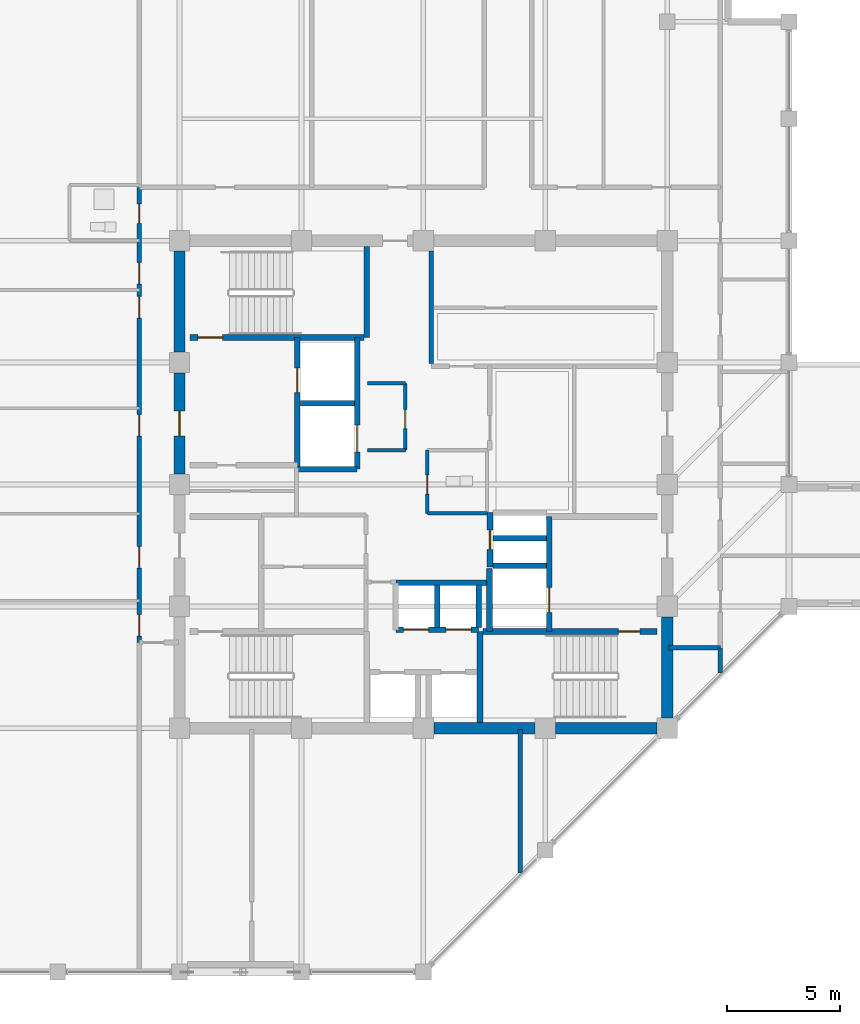
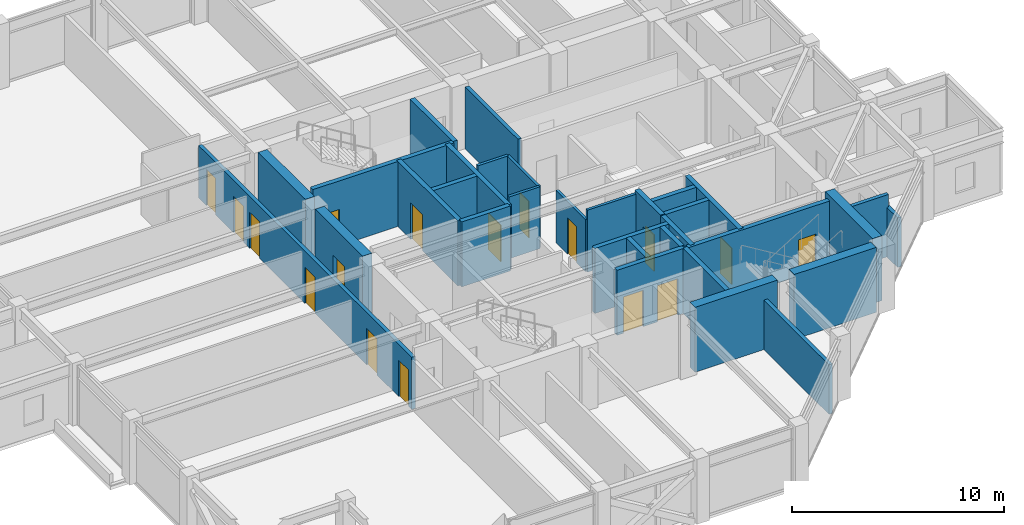
# One storey, part 26 of 31: 32 walls, 17 doors, 17 openings.
"""IFC4 building model written with IfcOpenShell, lengths in metres."""

from ifc_helpers import new_model, si_unit, direction, frame, frame_2d, origin, place, context, subcontext, project, spatial, rectangle, extrude, material, layer, layer_set, type_object, element, fill, save


model = new_model("IFC4")

# Units and contexts
model_context = context("Model", 3, precision=1e-05, world=origin(), true_north=direction((0.0, 1.0)))
body_context = subcontext(model_context, "Body", "Model", "MODEL_VIEW")
ifc_project = project(units=[si_unit("LENGTHUNIT", "METRE"), si_unit("AREAUNIT", "SQUARE_METRE"), si_unit("VOLUMEUNIT", "CUBIC_METRE"), si_unit("PLANEANGLEUNIT", "RADIAN"), si_unit("MASSUNIT", "GRAM", prefix="KILO")], contexts=[model_context])

# Site, building, storey
site_placement = place(None, origin())
site = spatial("IfcSite", under=ifc_project, at=site_placement, CompositionType="ELEMENT")
building_placement = place(site_placement, origin())
building = spatial("IfcBuilding", under=site, at=building_placement, Name="Surkhivell Harbour Commons", CompositionType="ELEMENT")
storey_placement = place(building_placement, frame((0.0, 0.0, 315.0)))
storey = spatial("IfcBuildingStorey", under=building, at=storey_placement, Name="L82", CompositionType="ELEMENT", Elevation=315.0)

# Walls
ifc_material_1 = material(Name="Concrete C50/60", Category="concrete")
ifc_layer_1 = layer(ifc_material_1, 0.5)
ifc_layer_set_1 = layer_set([ifc_layer_1], Name="Concrete C50/60")
wall_type_1 = type_object("IfcWallType", Name="WAL-CORE-500", PredefinedType="SHEAR", material=ifc_layer_set_1)
for number, where, z_axis, x_axis, name in (
    (1, (10.800048828125, -10.340087890625, 0.0), (0.0, 0.0, 1.0), (0.0, 1.0, 0.0), "L82 Core Shear Wall East 1"),
    (2, (0.4599609375, -10.800048828125, 0.0), (0.0, 0.0, 1.0), (1.0, 0.0, 0.0), "L82 Core Shear Wall South 3"),
):
    element("IfcWall", number, at=place(storey_placement, frame(where, z_axis=z_axis, x_axis=x_axis)), inside=storey, type_object=wall_type_1, Name=name, PredefinedType="SHEAR", context=body_context, shape_type="SweptSolid", body=[
        extrude(rectangle(XDim=4.47998046875, YDim=0.5, at=frame_2d((2.239990234375, 0.0))), origin(), (0.0, 0.0, 1.0), 3.75),
    ])

# Wall, opening, door
wall_1_placement = place(storey_placement, frame((-10.800048828125, 0.4599609375, 0.0), z_axis=(0.0, 0.0, 1.0), x_axis=(0.0, 1.0, 0.0)))
wall_1 = element("IfcWall", 3, at=wall_1_placement, inside=storey, type_object=wall_type_1, Name="L82 Core Shear Wall West 3", PredefinedType="SHEAR", context=body_context, shape_type="SweptSolid", body=[
    extrude(rectangle(XDim=4.47998046875, YDim=0.5, at=frame_2d((2.239990234375, 0.0))), origin(), (0.0, 0.0, 1.0), 3.75),
])
opening_1_placement = place(wall_1_placement, frame((1.68994140625, 0.0, 0.0)))
opening_1 = element("IfcOpeningElement", 4, at=opening_1_placement, cuts=wall_1, Name="Opening ID-1", PredefinedType="OPENING", context=body_context, shape_type="SweptSolid", body=[
    extrude(rectangle(XDim=1.10009765625, YDim=2.10009765625, at=frame_2d((0.550048828125, 1.050048828125))), frame((0.0, 0.260009765625, 0.0), z_axis=(0.0, -1.0, 0.0), x_axis=(1.0, 0.0, 0.0)), (0.0, 0.0, 1.0), 0.52001953125),
])
ifc_material_2 = material(Name="Hardwood-veneered fire-rated door leaf", Category="wood")
door_type_1 = type_object("IfcDoorType", Name="DOR-FD120-1100", OperationType="NOTDEFINED", PredefinedType="DOOR", material=ifc_material_2)
door_1_placement = place(opening_1_placement, origin())
door_1 = element("IfcDoor", 5, at=door_1_placement, inside=storey, type_object=door_type_1, Name="L82 Firefighting Lobby 1 Corridor Door", OperationType="SINGLE_SWING_LEFT", OverallHeight=2.10009765625, OverallWidth=1.10009765625, PredefinedType="DOOR", context=body_context, shape_type="SweptSolid", body=[
    extrude(rectangle(XDim=1.10009765625, YDim=2.10009765625, at=frame_2d((0.550048828125, 1.050048828125))), frame((0.0, 0.02490234375, 0.0), z_axis=(0.0, -1.0, 0.0), x_axis=(1.0, 0.0, 0.0)), (0.0, 0.0, 1.0), 0.050048828125),
])
fill(opening_1, door_1)

# Walls
for number, where, z_axis, x_axis, name in (
    (6, (5.860107421875, -10.800048828125, 0.0), (0.0, 0.0, 1.0), (1.0, 0.0, 0.0), "L82 Core Shear Wall South 4"),
    (7, (-10.800048828125, 5.860107421875, 0.0), (0.0, 0.0, 1.0), (0.0, 1.0, 0.0), "L82 Core Shear Wall West 4"),
):
    element("IfcWall", number, at=place(storey_placement, frame(where, z_axis=z_axis, x_axis=x_axis)), inside=storey, type_object=wall_type_1, Name=name, PredefinedType="SHEAR", context=body_context, shape_type="SweptSolid", body=[
        extrude(rectangle(XDim=4.47998046875, YDim=0.5, at=frame_2d((2.239990234375, 0.0))), origin(), (0.0, 0.0, 1.0), 3.75),
    ])
ifc_material_3 = material(Name="Twin-stud acoustic fireboard partition", Category="other")
ifc_layer_2 = layer(ifc_material_3, 0.14990234375)
ifc_layer_set_2 = layer_set([ifc_layer_2], Name="Twin-stud acoustic fireboard partition")
wall_type_2 = type_object("IfcWallType", Name="WAL-INT-150", PredefinedType="PARTITIONING", material=ifc_layer_set_2)
wall_2_placement = place(storey_placement, frame((0.179931640625, -1.280029296875, 0.0), z_axis=(0.0, 0.0, 1.0), x_axis=(1.0, 0.0, 0.0)))
element("IfcWall", 8, at=wall_2_placement, inside=storey, type_object=wall_type_2, Name="L82 Core WC South Wall", PredefinedType="PARTITIONING", context=body_context, shape_type="SweptSolid", body=[
    extrude(rectangle(XDim=2.670166015625, YDim=0.14990234375, at=frame_2d((1.3349609375, 0.0))), origin(), (0.0, 0.0, 1.0), 3.570068359375),
])

# Wall, opening, door
wall_3_placement = place(storey_placement, frame((0.179931640625, -1.280029296875, 0.0), z_axis=(0.0, 0.0, 1.0), x_axis=(0.0, 1.0, 0.0)))
wall_3 = element("IfcWall", 9, at=wall_3_placement, inside=storey, type_object=wall_type_2, Name="L82 Core Accessible WC West Wall", PredefinedType="PARTITIONING", context=body_context, shape_type="SweptSolid", body=[
    extrude(rectangle(XDim=2.800048828125, YDim=0.14990234375, at=frame_2d((1.39990234375, 0.0))), origin(), (0.0, 0.0, 1.0), 3.012939453125),
])
opening_2_placement = place(wall_3_placement, frame((0.85009765625, 0.0, 0.0)))
opening_2 = element("IfcOpeningElement", 10, at=opening_2_placement, cuts=wall_3, Name="Opening ID-6", PredefinedType="OPENING", context=body_context, shape_type="SweptSolid", body=[
    extrude(rectangle(XDim=0.85009765625, YDim=2.10009765625, at=frame_2d((0.425048828125, 1.050048828125))), frame((0.0, 0.0849609375, 0.0), z_axis=(0.0, -1.0, 0.0), x_axis=(1.0, 0.0, 0.0)), (0.0, 0.0, 1.0), 0.169921875),
])
door_type_2 = type_object("IfcDoorType", Name="DOR-FD30-850", OperationType="NOTDEFINED", PredefinedType="DOOR", material=ifc_material_2)
door_2_placement = place(opening_2_placement, origin())
door_2 = element("IfcDoor", 11, at=door_2_placement, inside=storey, type_object=door_type_2, Name="L82 Floor Accessible WC Door", OperationType="SINGLE_SWING_RIGHT", OverallHeight=2.10009765625, OverallWidth=0.85009765625, PredefinedType="DOOR", context=body_context, shape_type="SweptSolid", body=[
    extrude(rectangle(XDim=0.85009765625, YDim=2.10009765625, at=frame_2d((0.425048828125, 1.050048828125))), frame((0.0, 0.02490234375, 0.0), z_axis=(0.0, -1.0, 0.0), x_axis=(1.0, 0.0, 0.0)), (0.0, 0.0, 1.0), 0.050048828125),
])
fill(opening_2, door_2)

wall_4_placement = place(storey_placement, frame((-0.800048828125, 1.52001953125, 0.0), z_axis=(0.0, 0.0, 1.0), x_axis=(0.0, 1.0, 0.0)))
wall_4 = element("IfcWall", 12, at=wall_4_placement, inside=storey, type_object=wall_type_2, Name="L82 Core Seminar East Wall", PredefinedType="PARTITIONING", context=body_context, shape_type="SweptSolid", body=[
    extrude(rectangle(XDim=2.9599609375, YDim=0.14990234375, at=frame_2d((1.47998046875, 0.0))), origin(), (0.0, 0.0, 1.0), 3.570068359375),
])
opening_3_placement = place(wall_4_placement, frame((0.949951171875, 0.0, 0.0)))
opening_3 = element("IfcOpeningElement", 13, at=opening_3_placement, cuts=wall_4, Name="Opening ID-6", PredefinedType="OPENING", context=body_context, shape_type="SweptSolid", body=[
    extrude(rectangle(XDim=0.85009765625, YDim=2.10009765625, at=frame_2d((0.425048828125, 1.050048828125))), frame((0.0, 0.0849609375, 0.0), z_axis=(0.0, -1.0, 0.0), x_axis=(1.0, 0.0, 0.0)), (0.0, 0.0, 1.0), 0.169921875),
])
door_3_placement = place(opening_3_placement, origin())
door_3 = element("IfcDoor", 14, at=door_3_placement, inside=storey, type_object=door_type_2, Name="L82 Central Seminar Door", OperationType="SINGLE_SWING_LEFT", OverallHeight=2.10009765625, OverallWidth=0.85009765625, PredefinedType="DOOR", context=body_context, shape_type="SweptSolid", body=[
    extrude(rectangle(XDim=0.85009765625, YDim=2.10009765625, at=frame_2d((0.425048828125, 1.050048828125))), frame((0.0, 0.02490234375, 0.0), z_axis=(0.0, -1.0, 0.0), x_axis=(1.0, 0.0, 0.0)), (0.0, 0.0, 1.0), 0.050048828125),
])
fill(opening_3, door_3)

# Walls
for number, where, z_axis, x_axis, name in (
    (15, (-2.47998046875, 4.47998046875, 0.0), (0.0, 0.0, 1.0), (1.0, 0.0, 0.0), "L82 Core Seminar North Wall"),
    (16, (-2.47998046875, 1.52001953125, 0.0), (0.0, 0.0, 1.0), (1.0, 0.0, 0.0), "L82 Core Seminar South Wall"),
):
    element("IfcWall", number, at=place(storey_placement, frame(where, z_axis=z_axis, x_axis=x_axis)), inside=storey, type_object=wall_type_2, Name=name, PredefinedType="PARTITIONING", context=body_context, shape_type="SweptSolid", body=[
        extrude(rectangle(XDim=1.679931640625, YDim=0.14990234375, at=frame_2d((0.83984375, 0.0))), origin(), (0.0, 0.0, 1.0), 3.570068359375),
    ])
ifc_material_4 = material(Name="Autoclaved aerated concrete blockwork and fire plaster", Category="masonry")
ifc_layer_3 = layer(ifc_material_4, 0.199951171875)
ifc_layer_set_3 = layer_set([ifc_layer_3], Name="Autoclaved aerated concrete blockwork and fire plaster")
wall_type_3 = type_object("IfcWallType", Name="WAL-INT-200", PredefinedType="PARTITIONING", material=ifc_layer_set_3)
wall_5_placement = place(storey_placement, frame((0.35009765625, 5.360107421875, 0.0), z_axis=(0.0, 0.0, 1.0), x_axis=(0.0, 1.0, 0.0)))
element("IfcWall", 17, at=wall_5_placement, inside=storey, type_object=wall_type_3, Name="L82 Reclaimed Core North Bay West Wall", PredefinedType="PARTITIONING", context=body_context, shape_type="SweptSolid", body=[
    extrude(rectangle(XDim=4.97998046875, YDim=0.199951171875, at=frame_2d((2.489990234375, 0.0))), origin(), (0.0, 0.0, 1.0), 3.570068359375),
])
wall_6_placement = place(storey_placement, frame((13.159912109375, -8.355224609375, 0.0), z_axis=(0.0, 0.0, 1.0), x_axis=(0.0, 1.0, 0.0)))
element("IfcWall", 18, at=wall_6_placement, inside=storey, type_object=wall_type_3, Name="L82 East Wing South Closure Wall", PredefinedType="PARTITIONING", context=body_context, shape_type="SweptSolid", body=[
    extrude(rectangle(XDim=1.115234375, YDim=0.199951171875, at=frame_2d((0.5576171875, 0.0))), origin(), (0.0, 0.0, 1.0), 2.85693359375),
])
wall_7_placement = place(storey_placement, frame((10.85009765625, -7.239990234375, 0.0), z_axis=(0.0, 0.0, 1.0), x_axis=(1.0, 0.0, 0.0)))
element("IfcWall", 19, at=wall_7_placement, inside=storey, type_object=wall_type_3, Name="L82 East Corridor South Closure Wall", PredefinedType="PARTITIONING", context=body_context, shape_type="SweptSolid", body=[
    extrude(rectangle(XDim=2.309814453125, YDim=0.199951171875, at=frame_2d((1.15478515625, 0.0))), origin(), (0.0, 0.0, 1.0), 3.570068359375),
])
wall_8_placement = place(storey_placement, frame((4.300048828125, -17.215087890625, 0.0), z_axis=(0.0, 0.0, 1.0), x_axis=(0.0, 1.0, 0.0)))
element("IfcWall", 20, at=wall_8_placement, inside=storey, type_object=wall_type_3, Name="L82 South Hall East Wall", PredefinedType="PARTITIONING", context=body_context, shape_type="SweptSolid", body=[
    extrude(rectangle(XDim=6.364990234375, YDim=0.199951171875, at=frame_2d((3.1826171875, 0.0))), origin(), (0.0, 0.0, 1.0), 2.85693359375),
])

# Wall, openings, doors
wall_9_placement = place(storey_placement, frame((-12.580078125, -7.0, 0.0), z_axis=(0.0, 0.0, 1.0), x_axis=(0.0, 1.0, 0.0)))
wall_9 = element("IfcWall", 21, at=wall_9_placement, inside=storey, type_object=wall_type_3, Name="L82 West Corridor Wall", PredefinedType="PARTITIONING", context=body_context, shape_type="SweptSolid", body=[
    extrude(rectangle(XDim=20.159912109375, YDim=0.199951171875, at=frame_2d((10.080078125, 0.0))), origin(), (0.0, 0.0, 1.0), 3.012939453125),
])
opening_4_placement = place(wall_9_placement, frame((0.280029296875, 0.0, 0.0)))
opening_4 = element("IfcOpeningElement", 22, at=opening_4_placement, cuts=wall_9, Name="Opening ID-4", PredefinedType="OPENING", context=body_context, shape_type="SweptSolid", body=[
    extrude(rectangle(XDim=0.949951171875, YDim=2.10009765625, at=frame_2d((0.47509765625, 1.050048828125))), frame((0.0, 0.10986328125, 0.0), z_axis=(0.0, -1.0, 0.0), x_axis=(1.0, 0.0, 0.0)), (0.0, 0.0, 1.0), 0.219970703125),
])
opening_5_placement = place(wall_9_placement, frame((18.56494140625, 0.0, 0.0)))
opening_5 = element("IfcOpeningElement", 23, at=opening_5_placement, cuts=wall_9, Name="Opening ID-6", PredefinedType="OPENING", context=body_context, shape_type="SweptSolid", body=[
    extrude(rectangle(XDim=0.85009765625, YDim=2.10009765625, at=frame_2d((0.425048828125, 1.050048828125))), frame((0.0, 0.10986328125, 0.0), z_axis=(0.0, -1.0, 0.0), x_axis=(1.0, 0.0, 0.0)), (0.0, 0.0, 1.0), 0.219970703125),
])
opening_6_placement = place(wall_9_placement, frame((15.889892578125, 0.0, 0.0)))
opening_6 = element("IfcOpeningElement", 24, at=opening_6_placement, cuts=wall_9, Name="Opening ID-4", PredefinedType="OPENING", context=body_context, shape_type="SweptSolid", body=[
    extrude(rectangle(XDim=0.949951171875, YDim=2.10009765625, at=frame_2d((0.47509765625, 1.050048828125))), frame((0.0, 0.10986328125, 0.0), z_axis=(0.0, -1.0, 0.0), x_axis=(1.0, 0.0, 0.0)), (0.0, 0.0, 1.0), 0.219970703125),
])
opening_7_placement = place(wall_9_placement, frame((3.294921875, 0.0, 0.0)))
opening_7 = element("IfcOpeningElement", 25, at=opening_7_placement, cuts=wall_9, Name="Opening ID-4", PredefinedType="OPENING", context=body_context, shape_type="SweptSolid", body=[
    extrude(rectangle(XDim=0.949951171875, YDim=2.10009765625, at=frame_2d((0.47509765625, 1.050048828125))), frame((0.0, 0.10986328125, 0.0), z_axis=(0.0, -1.0, 0.0), x_axis=(1.0, 0.0, 0.0)), (0.0, 0.0, 1.0), 0.219970703125),
])
opening_8_placement = place(wall_9_placement, frame((9.14990234375, 0.0, 0.0)))
opening_8 = element("IfcOpeningElement", 26, at=opening_8_placement, cuts=wall_9, Name="Opening ID-4", PredefinedType="OPENING", context=body_context, shape_type="SweptSolid", body=[
    extrude(rectangle(XDim=0.949951171875, YDim=2.10009765625, at=frame_2d((0.47509765625, 1.050048828125))), frame((0.0, 0.10986328125, 0.0), z_axis=(0.0, -1.0, 0.0), x_axis=(1.0, 0.0, 0.0)), (0.0, 0.0, 1.0), 0.219970703125),
])
opening_9_placement = place(wall_9_placement, frame((14.3798828125, 0.0, 0.0)))
opening_9 = element("IfcOpeningElement", 27, at=opening_9_placement, cuts=wall_9, Name="Opening ID-4", PredefinedType="OPENING", context=body_context, shape_type="SweptSolid", body=[
    extrude(rectangle(XDim=0.949951171875, YDim=2.10009765625, at=frame_2d((0.47509765625, 1.050048828125))), frame((0.0, 0.10986328125, 0.0), z_axis=(0.0, -1.0, 0.0), x_axis=(1.0, 0.0, 0.0)), (0.0, 0.0, 1.0), 0.219970703125),
])
door_4_placement = place(opening_5_placement, origin())
door_4 = element("IfcDoor", 28, at=door_4_placement, inside=storey, type_object=door_type_2, Name="L82 Communal Shower Bathroom West Door", OperationType="SINGLE_SWING_LEFT", OverallHeight=2.10009765625, OverallWidth=0.85009765625, PredefinedType="DOOR", context=body_context, shape_type="SweptSolid", body=[
    extrude(rectangle(XDim=0.85009765625, YDim=2.10009765625, at=frame_2d((0.425048828125, 1.050048828125))), frame((0.0, 0.02490234375, 0.0), z_axis=(0.0, -1.0, 0.0), x_axis=(1.0, 0.0, 0.0)), (0.0, 0.0, 1.0), 0.050048828125),
])
fill(opening_5, door_4)
door_type_3 = type_object("IfcDoorType", Name="DOR-FD60-950", OperationType="NOTDEFINED", PredefinedType="DOOR", material=ifc_material_2)
door_5_placement = place(opening_4_placement, origin())
door_5 = element("IfcDoor", 29, at=door_5_placement, inside=storey, type_object=door_type_3, Name="L82 Shared Communal Kitchen West Door", OperationType="SINGLE_SWING_RIGHT", OverallHeight=2.10009765625, OverallWidth=0.949951171875, PredefinedType="DOOR", context=body_context, shape_type="SweptSolid", body=[
    extrude(rectangle(XDim=0.949951171875, YDim=2.10009765625, at=frame_2d((0.47509765625, 1.050048828125))), frame((0.0, 0.02490234375, 0.0), z_axis=(0.0, -1.0, 0.0), x_axis=(1.0, 0.0, 0.0)), (0.0, 0.0, 1.0), 0.050048828125),
])
fill(opening_4, door_5)
door_6_placement = place(opening_6_placement, origin())
door_6 = element("IfcDoor", 30, at=door_6_placement, inside=storey, type_object=door_type_3, Name="L82 Academic Reading Commons West Door", OperationType="SINGLE_SWING_RIGHT", OverallHeight=2.10009765625, OverallWidth=0.949951171875, PredefinedType="DOOR", context=body_context, shape_type="SweptSolid", body=[
    extrude(rectangle(XDim=0.949951171875, YDim=2.10009765625, at=frame_2d((0.47509765625, 1.050048828125))), frame((0.0, 0.02490234375, 0.0), z_axis=(0.0, -1.0, 0.0), x_axis=(1.0, 0.0, 0.0)), (0.0, 0.0, 1.0), 0.050048828125),
])
fill(opening_6, door_6)
door_7_placement = place(opening_7_placement, origin())
door_7 = element("IfcDoor", 31, at=door_7_placement, inside=storey, type_object=door_type_3, Name="L82 Hostel Cluster Bedroom 1 West Door", OperationType="SINGLE_SWING_LEFT", OverallHeight=2.10009765625, OverallWidth=0.949951171875, PredefinedType="DOOR", context=body_context, shape_type="SweptSolid", body=[
    extrude(rectangle(XDim=0.949951171875, YDim=2.10009765625, at=frame_2d((0.47509765625, 1.050048828125))), frame((0.0, 0.02490234375, 0.0), z_axis=(0.0, -1.0, 0.0), x_axis=(1.0, 0.0, 0.0)), (0.0, 0.0, 1.0), 0.050048828125),
])
fill(opening_7, door_7)
door_8_placement = place(opening_8_placement, origin())
door_8 = element("IfcDoor", 32, at=door_8_placement, inside=storey, type_object=door_type_3, Name="L82 Co-Living Dormitory Bedroom 2 West Door", OperationType="SINGLE_SWING_RIGHT", OverallHeight=2.10009765625, OverallWidth=0.949951171875, PredefinedType="DOOR", context=body_context, shape_type="SweptSolid", body=[
    extrude(rectangle(XDim=0.949951171875, YDim=2.10009765625, at=frame_2d((0.47509765625, 1.050048828125))), frame((0.0, 0.02490234375, 0.0), z_axis=(0.0, -1.0, 0.0), x_axis=(1.0, 0.0, 0.0)), (0.0, 0.0, 1.0), 0.050048828125),
])
fill(opening_8, door_8)
door_9_placement = place(opening_9_placement, origin())
door_9 = element("IfcDoor", 33, at=door_9_placement, inside=storey, type_object=door_type_3, Name="L82 Hostel Cluster Bedroom 3 West Door", OperationType="SINGLE_SWING_LEFT", OverallHeight=2.10009765625, OverallWidth=0.949951171875, PredefinedType="DOOR", context=body_context, shape_type="SweptSolid", body=[
    extrude(rectangle(XDim=0.949951171875, YDim=2.10009765625, at=frame_2d((0.47509765625, 1.050048828125))), frame((0.0, 0.02490234375, 0.0), z_axis=(0.0, -1.0, 0.0), x_axis=(1.0, 0.0, 0.0)), (0.0, 0.0, 1.0), 0.050048828125),
])
fill(opening_9, door_9)

# Wall, opening, door
ifc_layer_4 = layer(ifc_material_1, 0.25)
ifc_layer_set_4 = layer_set([ifc_layer_4], Name="Concrete C50/60")
wall_type_4 = type_object("IfcWallType", Name="WAL-SHAFT-250", PredefinedType="SHEAR", material=ifc_layer_set_4)
wall_10_placement = place(storey_placement, frame((-5.580078125, 0.719970703125, 0.0), z_axis=(0.0, 0.0, 1.0), x_axis=(0.0, 1.0, 0.0)))
wall_10 = element("IfcWall", 34, at=wall_10_placement, inside=storey, type_object=wall_type_4, Name="L82 Firefighting Lobby 1 East Shaft Wall", PredefinedType="SHEAR", context=body_context, shape_type="SweptSolid", body=[
    extrude(rectangle(XDim=5.7900390625, YDim=0.25, at=frame_2d((2.89501953125, 0.0))), origin(), (0.0, 0.0, 1.0), 3.75),
])
opening_10_placement = place(wall_10_placement, frame((3.35009765625, 0.0, 0.0)))
opening_10 = element("IfcOpeningElement", 35, at=opening_10_placement, cuts=wall_10, Name="Opening LD-1", PredefinedType="OPENING", context=body_context, shape_type="SweptSolid", body=[
    extrude(rectangle(XDim=1.10009765625, YDim=2.10009765625, at=frame_2d((0.550048828125, 1.050048828125))), frame((0.0, 0.135009765625, 0.0), z_axis=(0.0, -1.0, 0.0), x_axis=(1.0, 0.0, 0.0)), (0.0, 0.0, 1.0), 0.27001953125),
])
ifc_material_5 = material(Name="Brushed stainless steel S355", Category="steel")
door_type_4 = type_object("IfcDoorType", Name="DOR-LD-1100", OperationType="SLIDING_TO_LEFT", PredefinedType="DOOR", material=ifc_material_5)
door_10_placement = place(opening_10_placement, origin())
door_10 = element("IfcDoor", 36, at=door_10_placement, inside=storey, type_object=door_type_4, Name="L82 Lift Landing Door LD-FFL1", OperationType="SLIDING_TO_LEFT", OverallHeight=2.10009765625, OverallWidth=1.10009765625, PredefinedType="DOOR", context=body_context, shape_type="SweptSolid", body=[
    extrude(rectangle(XDim=1.10009765625, YDim=2.10009765625, at=frame_2d((0.550048828125, 1.050048828125))), frame((0.0, 0.02490234375, 0.0), z_axis=(0.0, -1.0, 0.0), x_axis=(1.0, 0.0, 0.0)), (0.0, 0.0, 1.0), 0.050048828125),
])
fill(opening_10, door_10)

# Walls
wall_11_placement = place(storey_placement, frame((2.929931640625, -6.510009765625, 0.0), z_axis=(0.0, 0.0, 1.0), x_axis=(0.0, 1.0, 0.0)))
element("IfcWall", 37, at=wall_11_placement, inside=storey, type_object=wall_type_4, Name="L82 FFL2 West Shaft Wall", PredefinedType="SHEAR", context=body_context, shape_type="SweptSolid", body=[
    extrude(rectangle(XDim=2.7900390625, YDim=0.25, at=frame_2d((1.39501953125, 0.0))), origin(), (0.0, 0.0, 1.0), 3.75),
])
wall_12_placement = place(storey_placement, frame((3.080078125, -3.60009765625, 0.0), z_axis=(0.0, 0.0, 1.0), x_axis=(1.0, 0.0, 0.0)))
element("IfcWall", 38, at=wall_12_placement, inside=storey, type_object=wall_type_4, Name="L82 FFL2 North Shaft Wall", PredefinedType="SHEAR", context=body_context, shape_type="SweptSolid", body=[
    extrude(rectangle(XDim=2.369873046875, YDim=0.25, at=frame_2d((1.18505859375, 0.0))), origin(), (0.0, 0.0, 1.0), 3.75),
])

# Wall, opening, door
wall_13_placement = place(storey_placement, frame((5.580078125, -6.510009765625, 0.0), z_axis=(0.0, 0.0, 1.0), x_axis=(0.0, 1.0, 0.0)))
wall_13 = element("IfcWall", 39, at=wall_13_placement, inside=storey, type_object=wall_type_4, Name="L82 Firefighting Lobby 2 West Shaft Wall", PredefinedType="SHEAR", context=body_context, shape_type="SweptSolid", body=[
    extrude(rectangle(XDim=5.090087890625, YDim=0.25, at=frame_2d((2.544921875, 0.0))), origin(), (0.0, 0.0, 1.0), 3.75),
])
opening_11_placement = place(wall_13_placement, frame((0.85009765625, 0.0, 0.0)))
opening_11 = element("IfcOpeningElement", 40, at=opening_11_placement, cuts=wall_13, Name="Opening LD-1", PredefinedType="OPENING", context=body_context, shape_type="SweptSolid", body=[
    extrude(rectangle(XDim=1.10009765625, YDim=2.10009765625, at=frame_2d((0.550048828125, 1.050048828125))), frame((0.0, 0.135009765625, 0.0), z_axis=(0.0, -1.0, 0.0), x_axis=(1.0, 0.0, 0.0)), (0.0, 0.0, 1.0), 0.27001953125),
])
door_11_placement = place(opening_11_placement, origin())
door_11 = element("IfcDoor", 41, at=door_11_placement, inside=storey, type_object=door_type_4, Name="L82 Lift Landing Door LD-FFL2", OperationType="SLIDING_TO_RIGHT", OverallHeight=2.10009765625, OverallWidth=1.10009765625, PredefinedType="DOOR", context=body_context, shape_type="SweptSolid", body=[
    extrude(rectangle(XDim=1.10009765625, YDim=2.10009765625, at=frame_2d((0.550048828125, 1.050048828125))), frame((0.0, 0.02490234375, 0.0), z_axis=(0.0, -1.0, 0.0), x_axis=(1.0, 0.0, 0.0)), (0.0, 0.0, 1.0), 0.050048828125),
])
fill(opening_11, door_11)

# Walls
for number, where, z_axis, x_axis, name in (
    (42, (0.6201171875, -6.340087890625, 0.0), (0.0, 0.0, 1.0), (0.0, 1.0, 0.0), "L82 High-Rise Side Wall N"),
    (43, (2.449951171875, -6.340087890625, 0.0), (0.0, 0.0, 1.0), (0.0, 1.0, 0.0), "L82 High-Rise Side Wall N"),
):
    element("IfcWall", number, at=place(storey_placement, frame(where, z_axis=z_axis, x_axis=x_axis)), inside=storey, type_object=wall_type_4, Name=name, PredefinedType="SHEAR", context=body_context, shape_type="SweptSolid", body=[
        extrude(rectangle(XDim=1.880126953125, YDim=0.25, at=frame_2d((0.93994140625, 0.0))), origin(), (0.0, 0.0, 1.0), 3.75),
    ])

# Wall, openings, doors
wall_14_placement = place(storey_placement, frame((-1.219970703125, -6.43994140625, 0.0), z_axis=(0.0, 0.0, 1.0), x_axis=(1.0, 0.0, 0.0)))
wall_14 = element("IfcWall", 44, at=wall_14_placement, inside=storey, type_object=wall_type_4, Name="L82 High-Rise North Front Shaft Wall", PredefinedType="SHEAR", context=body_context, shape_type="SweptSolid", body=[
    extrude(rectangle(XDim=3.669921875, YDim=0.25, at=frame_2d((1.8349609375, 0.0))), origin(), (0.0, 0.0, 1.0), 3.75),
])
opening_12_placement = place(wall_14_placement, frame((0.35009765625, 0.0, 0.0)))
opening_12 = element("IfcOpeningElement", 45, at=opening_12_placement, cuts=wall_14, Name="Opening LD-1", PredefinedType="OPENING", context=body_context, shape_type="SweptSolid", body=[
    extrude(rectangle(XDim=1.10009765625, YDim=2.10009765625, at=frame_2d((0.550048828125, 1.050048828125))), frame((0.0, 0.135009765625, 0.0), z_axis=(0.0, -1.0, 0.0), x_axis=(1.0, 0.0, 0.0)), (0.0, 0.0, 1.0), 0.27001953125),
])
opening_13_placement = place(wall_14_placement, frame((2.219970703125, 0.0, 0.0)))
opening_13 = element("IfcOpeningElement", 46, at=opening_13_placement, cuts=wall_14, Name="Opening LD-1", PredefinedType="OPENING", context=body_context, shape_type="SweptSolid", body=[
    extrude(rectangle(XDim=1.10009765625, YDim=2.10009765625, at=frame_2d((0.550048828125, 1.050048828125))), frame((0.0, 0.135009765625, 0.0), z_axis=(0.0, -1.0, 0.0), x_axis=(1.0, 0.0, 0.0)), (0.0, 0.0, 1.0), 0.27001953125),
])
door_12_placement = place(opening_12_placement, origin())
door_12 = element("IfcDoor", 47, at=door_12_placement, inside=storey, type_object=door_type_4, Name="L82 Lift Landing Door LD-PH1", OperationType="SLIDING_TO_LEFT", OverallHeight=2.10009765625, OverallWidth=1.10009765625, PredefinedType="DOOR", context=body_context, shape_type="SweptSolid", body=[
    extrude(rectangle(XDim=1.10009765625, YDim=2.10009765625, at=frame_2d((0.550048828125, 1.050048828125))), frame((0.0, 0.02490234375, 0.0), z_axis=(0.0, -1.0, 0.0), x_axis=(1.0, 0.0, 0.0)), (0.0, 0.0, 1.0), 0.050048828125),
])
fill(opening_12, door_12)
door_13_placement = place(opening_13_placement, origin())
door_13 = element("IfcDoor", 48, at=door_13_placement, inside=storey, type_object=door_type_4, Name="L82 Lift Landing Door LD-PH2", OperationType="SLIDING_TO_LEFT", OverallHeight=2.10009765625, OverallWidth=1.10009765625, PredefinedType="DOOR", context=body_context, shape_type="SweptSolid", body=[
    extrude(rectangle(XDim=1.10009765625, YDim=2.10009765625, at=frame_2d((0.550048828125, 1.050048828125))), frame((0.0, 0.02490234375, 0.0), z_axis=(0.0, -1.0, 0.0), x_axis=(1.0, 0.0, 0.0)), (0.0, 0.0, 1.0), 0.050048828125),
])
fill(opening_13, door_13)

# Walls
wall_15_placement = place(storey_placement, frame((-1.219970703125, -4.360107421875, 0.0), z_axis=(0.0, 0.0, 1.0), x_axis=(1.0, 0.0, 0.0)))
element("IfcWall", 49, at=wall_15_placement, inside=storey, type_object=wall_type_4, Name="L82 High-Rise North Back Shaft Wall", PredefinedType="SHEAR", context=body_context, shape_type="SweptSolid", body=[
    extrude(rectangle(XDim=4.030029296875, YDim=0.25, at=frame_2d((2.01513671875, 0.0))), origin(), (0.0, 0.0, 1.0), 3.75),
])
wall_16_placement = place(storey_placement, frame((3.080078125, -2.3798828125, 0.0), z_axis=(0.0, 0.0, 1.0), x_axis=(1.0, 0.0, 0.0)))
element("IfcWall", 50, at=wall_16_placement, inside=storey, type_object=wall_type_4, Name="L82 Riser Divider Wall", PredefinedType="SHEAR", context=body_context, shape_type="SweptSolid", body=[
    extrude(rectangle(XDim=2.369873046875, YDim=0.25, at=frame_2d((1.18505859375, 0.0))), origin(), (0.0, 0.0, 1.0), 3.75),
])

# Wall, opening, door
wall_17_placement = place(storey_placement, frame((2.949951171875, -3.64990234375, 0.0), z_axis=(0.0, 0.0, 1.0), x_axis=(0.0, 1.0, 0.0)))
wall_17 = element("IfcWall", 51, at=wall_17_placement, inside=storey, type_object=wall_type_4, Name="L82 Riser Shaft West Wall", PredefinedType="SHEAR", context=body_context, shape_type="SweptSolid", body=[
    extrude(rectangle(XDim=2.39990234375, YDim=0.25, at=frame_2d((1.199951171875, 0.0))), origin(), (0.0, 0.0, 1.0), 3.75),
])
opening_14_placement = place(wall_17_placement, frame((0.77490234375, 0.0, 0.0)))
opening_14 = element("IfcOpeningElement", 52, at=opening_14_placement, cuts=wall_17, Name="Opening ID-6", PredefinedType="OPENING", context=body_context, shape_type="SweptSolid", body=[
    extrude(rectangle(XDim=0.85009765625, YDim=2.10009765625, at=frame_2d((0.425048828125, 1.050048828125))), frame((0.0, 0.135009765625, 0.0), z_axis=(0.0, -1.0, 0.0), x_axis=(1.0, 0.0, 0.0)), (0.0, 0.0, 1.0), 0.27001953125),
])
door_14_placement = place(opening_14_placement, origin())
door_14 = element("IfcDoor", 53, at=door_14_placement, inside=storey, type_object=door_type_2, Name="L82 Electrical Riser Access Door", OperationType="SINGLE_SWING_LEFT", OverallHeight=2.10009765625, OverallWidth=0.85009765625, PredefinedType="DOOR", context=body_context, shape_type="SweptSolid", body=[
    extrude(rectangle(XDim=0.85009765625, YDim=2.10009765625, at=frame_2d((0.425048828125, 1.050048828125))), frame((0.0, 0.02490234375, 0.0), z_axis=(0.0, -1.0, 0.0), x_axis=(1.0, 0.0, 0.0)), (0.0, 0.0, 1.0), 0.050048828125),
])
fill(opening_14, door_14)

# Wall
wall_18_placement = place(storey_placement, frame((-2.510009765625, 6.510009765625, 0.0), z_axis=(0.0, 0.0, 1.0), x_axis=(0.0, 1.0, 0.0)))
element("IfcWall", 54, at=wall_18_placement, inside=storey, type_object=wall_type_4, Name="L82 Stair ST1 East Shear Wall", PredefinedType="SHEAR", context=body_context, shape_type="SweptSolid", body=[
    extrude(rectangle(XDim=4.0400390625, YDim=0.25, at=frame_2d((2.02001953125, 0.0))), origin(), (0.0, 0.0, 1.0), 3.75),
])

# Wall, opening, door
wall_19_placement = place(storey_placement, frame((-10.340087890625, 6.510009765625, 0.0), z_axis=(0.0, 0.0, 1.0), x_axis=(1.0, 0.0, 0.0)))
wall_19 = element("IfcWall", 55, at=wall_19_placement, inside=storey, type_object=wall_type_4, Name="L82 Stair ST1 South Shear Wall", PredefinedType="SHEAR", context=body_context, shape_type="SweptSolid", body=[
    extrude(rectangle(XDim=7.7001953125, YDim=0.25, at=frame_2d((3.85009765625, 0.0))), origin(), (0.0, 0.0, 1.0), 3.75),
])
opening_15_placement = place(wall_19_placement, frame((0.35009765625, 0.0, 0.0)))
opening_15 = element("IfcOpeningElement", 56, at=opening_15_placement, cuts=wall_19, Name="Opening ID-2", PredefinedType="OPENING", context=body_context, shape_type="SweptSolid", body=[
    extrude(rectangle(XDim=1.10009765625, YDim=2.10009765625, at=frame_2d((0.550048828125, 1.050048828125))), frame((0.0, 0.135009765625, 0.0), z_axis=(0.0, -1.0, 0.0), x_axis=(1.0, 0.0, 0.0)), (0.0, 0.0, 1.0), 0.27001953125),
])
door_type_5 = type_object("IfcDoorType", Name="DOR-FD60-1100", OperationType="NOTDEFINED", PredefinedType="DOOR", material=ifc_material_2)
door_15_placement = place(opening_15_placement, origin())
door_15 = element("IfcDoor", 57, at=door_15_placement, inside=storey, type_object=door_type_5, Name="L82 Stair ST1 Exit Door", OperationType="SINGLE_SWING_LEFT", OverallHeight=2.10009765625, OverallWidth=1.10009765625, PredefinedType="DOOR", context=body_context, shape_type="SweptSolid", body=[
    extrude(rectangle(XDim=1.10009765625, YDim=2.10009765625, at=frame_2d((0.550048828125, 1.050048828125))), frame((0.0, 0.02490234375, 0.0), z_axis=(0.0, -1.0, 0.0), x_axis=(1.0, 0.0, 0.0)), (0.0, 0.0, 1.0), 0.050048828125),
])
fill(opening_15, door_15)

wall_20_placement = place(storey_placement, frame((2.639892578125, -6.510009765625, 0.0), z_axis=(0.0, 0.0, 1.0), x_axis=(1.0, 0.0, 0.0)))
wall_20 = element("IfcWall", 58, at=wall_20_placement, inside=storey, type_object=wall_type_4, Name="L82 Stair ST2 North Shear Wall", PredefinedType="SHEAR", context=body_context, shape_type="SweptSolid", body=[
    extrude(rectangle(XDim=7.7001953125, YDim=0.25, at=frame_2d((3.85009765625, 0.0))), origin(), (0.0, 0.0, 1.0), 3.75),
])
opening_16_placement = place(wall_20_placement, frame((6.0, 0.0, 0.0)))
opening_16 = element("IfcOpeningElement", 59, at=opening_16_placement, cuts=wall_20, Name="Opening ID-4", PredefinedType="OPENING", context=body_context, shape_type="SweptSolid", body=[
    extrude(rectangle(XDim=0.949951171875, YDim=2.10009765625, at=frame_2d((0.47509765625, 1.050048828125))), frame((0.0, 0.135009765625, 0.0), z_axis=(0.0, -1.0, 0.0), x_axis=(1.0, 0.0, 0.0)), (0.0, 0.0, 1.0), 0.27001953125),
])
door_16_placement = place(opening_16_placement, origin())
door_16 = element("IfcDoor", 60, at=door_16_placement, inside=storey, type_object=door_type_3, Name="L82 Stair ST2 Exit Door", OperationType="SINGLE_SWING_RIGHT", OverallHeight=2.10009765625, OverallWidth=0.949951171875, PredefinedType="DOOR", context=body_context, shape_type="SweptSolid", body=[
    extrude(rectangle(XDim=0.949951171875, YDim=2.10009765625, at=frame_2d((0.47509765625, 1.050048828125))), frame((0.0, 0.02490234375, 0.0), z_axis=(0.0, -1.0, 0.0), x_axis=(1.0, 0.0, 0.0)), (0.0, 0.0, 1.0), 0.050048828125),
])
fill(opening_16, door_16)

# Wall
wall_21_placement = place(storey_placement, frame((2.510009765625, -10.550048828125, 0.0), z_axis=(0.0, 0.0, 1.0), x_axis=(0.0, 1.0, 0.0)))
element("IfcWall", 61, at=wall_21_placement, inside=storey, type_object=wall_type_4, Name="L82 Stair ST2 West Shear Wall", PredefinedType="SHEAR", context=body_context, shape_type="SweptSolid", body=[
    extrude(rectangle(XDim=4.0400390625, YDim=0.25, at=frame_2d((2.02001953125, 0.0))), origin(), (0.0, 0.0, 1.0), 3.75),
])

# Wall, opening, door
wall_22_placement = place(storey_placement, frame((-2.929931640625, 0.679931640625, 0.0), z_axis=(0.0, 0.0, 1.0), x_axis=(0.0, 1.0, 0.0)))
wall_22 = element("IfcWall", 62, at=wall_22_placement, inside=storey, type_object=wall_type_4, Name="L82 Service and Fire Lift East Shaft Wall", PredefinedType="SHEAR", context=body_context, shape_type="SweptSolid", body=[
    extrude(rectangle(XDim=5.830078125, YDim=0.25, at=frame_2d((2.9150390625, 0.0))), origin(), (0.0, 0.0, 1.0), 3.75),
])
opening_17_placement = place(wall_22_placement, frame((0.75, 0.0, 0.0)))
opening_17 = element("IfcOpeningElement", 63, at=opening_17_placement, cuts=wall_22, Name="Opening LD-2", PredefinedType="OPENING", context=body_context, shape_type="SweptSolid", body=[
    extrude(rectangle(XDim=1.199951171875, YDim=2.10009765625, at=frame_2d((0.60009765625, 1.050048828125))), frame((0.0, 0.135009765625, 0.0), z_axis=(0.0, -1.0, 0.0), x_axis=(1.0, 0.0, 0.0)), (0.0, 0.0, 1.0), 0.27001953125),
])
door_type_6 = type_object("IfcDoorType", Name="DOR-LD-1200", OperationType="SLIDING_TO_LEFT", PredefinedType="DOOR", material=ifc_material_5)
door_17_placement = place(opening_17_placement, origin())
door_17 = element("IfcDoor", 64, at=door_17_placement, inside=storey, type_object=door_type_6, Name="L82 Lift Landing Door LD-SVL1", OperationType="SLIDING_TO_LEFT", OverallHeight=2.10009765625, OverallWidth=1.199951171875, PredefinedType="DOOR", context=body_context, shape_type="SweptSolid", body=[
    extrude(rectangle(XDim=1.199951171875, YDim=2.10009765625, at=frame_2d((0.60009765625, 1.050048828125))), frame((0.0, 0.02490234375, 0.0), z_axis=(0.0, -1.0, 0.0), x_axis=(1.0, 0.0, 0.0)), (0.0, 0.0, 1.0), 0.050048828125),
])
fill(opening_17, door_17)

# Walls
wall_23_placement = place(storey_placement, frame((-5.449951171875, 3.60009765625, 0.0), z_axis=(0.0, 0.0, 1.0), x_axis=(1.0, 0.0, 0.0)))
element("IfcWall", 65, at=wall_23_placement, inside=storey, type_object=wall_type_4, Name="L82 FFL1/SVL1 Shaft Divider", PredefinedType="SHEAR", context=body_context, shape_type="SweptSolid", body=[
    extrude(rectangle(XDim=2.389892578125, YDim=0.25, at=frame_2d((1.19482421875, 0.0))), origin(), (0.0, 0.0, 1.0), 3.75),
])
wall_24_placement = place(storey_placement, frame((-5.580078125, 0.679931640625, 0.0), z_axis=(0.0, 0.0, 1.0), x_axis=(1.0, 0.0, 0.0)))
element("IfcWall", 66, at=wall_24_placement, inside=storey, type_object=wall_type_4, Name="L82 SVL1 South Shaft Wall", PredefinedType="SHEAR", context=body_context, shape_type="SweptSolid", body=[
    extrude(rectangle(XDim=2.650146484375, YDim=0.25, at=frame_2d((1.3251953125, 0.0))), origin(), (0.0, 0.0, 1.0), 3.75),
])

save(model, "model.ifc")
